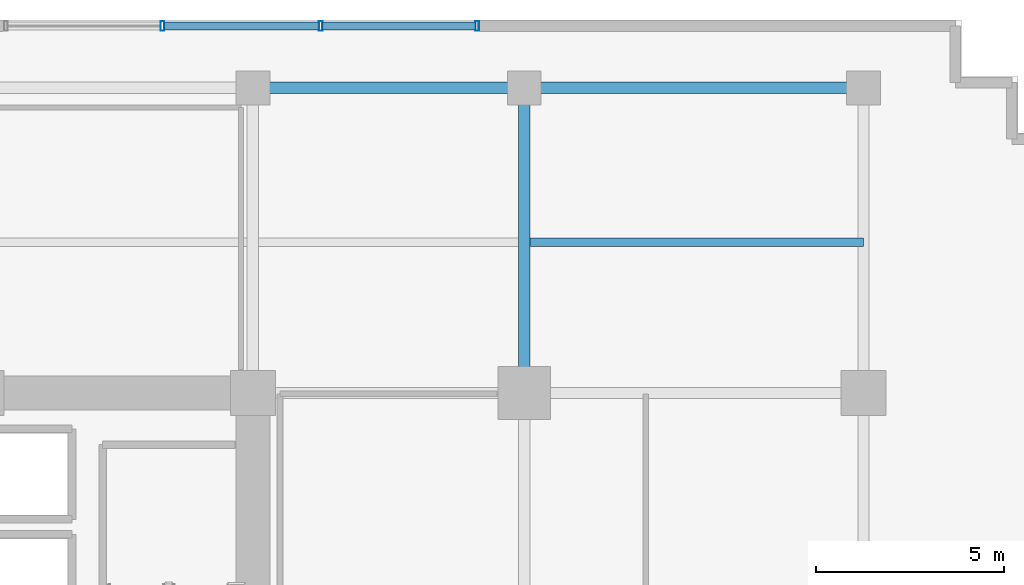
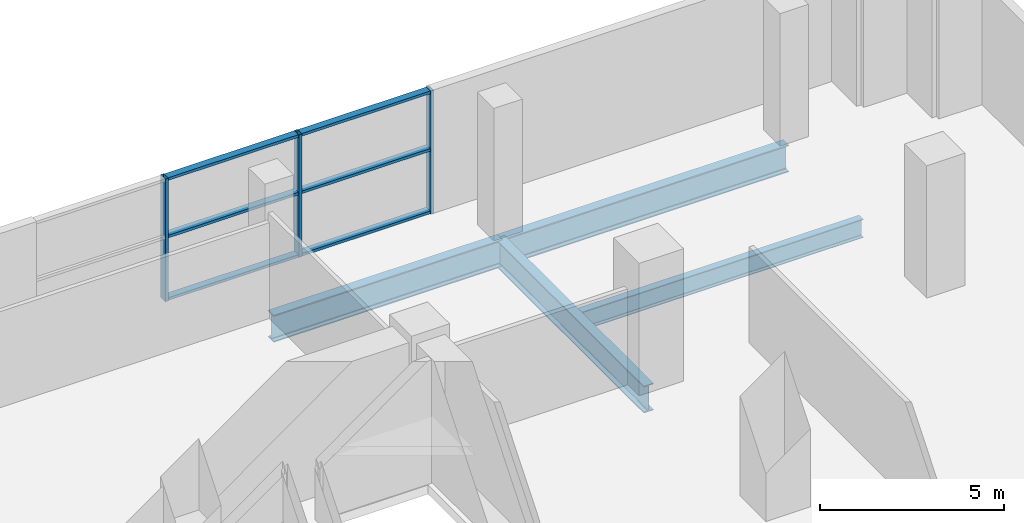
# One storey, part 12 of 21: 9 members, 4 beams, 1 element without a shape of its own.
"""IFC4 building model written with IfcOpenShell, lengths in metres."""

from ifc_helpers import new_model, si_unit, direction, frame, origin, origin_2d, place, context, subcontext, project, spatial, hollow_rectangle, i_section, extrude, source, transform, mapped, material, layer, layer_set, material_profile, profile_set, type_object, element, aggregate, save


model = new_model("IFC4")

# Units and contexts
model_context = context("Model", 3, precision=1e-05, world=origin(), true_north=direction((0.0, 1.0)))
body_context = subcontext(model_context, "Body", "Model", "MODEL_VIEW")
ifc_project = project(units=[si_unit("LENGTHUNIT", "METRE"), si_unit("AREAUNIT", "SQUARE_METRE"), si_unit("VOLUMEUNIT", "CUBIC_METRE"), si_unit("PLANEANGLEUNIT", "RADIAN"), si_unit("MASSUNIT", "GRAM", prefix="KILO")], contexts=[model_context])

# Site, building, storey
site_placement = place(None, origin())
site = spatial("IfcSite", under=ifc_project, at=site_placement, CompositionType="ELEMENT")
building_placement = place(site_placement, origin())
building = spatial("IfcBuilding", under=site, at=building_placement, Name="Zarnakvel Exchange Tower", CompositionType="ELEMENT")
storey_placement = place(building_placement, frame((0.0, 0.0, 18.199951171875)))
storey = spatial("IfcBuildingStorey", under=building, at=storey_placement, Name="L04", CompositionType="ELEMENT", Elevation=18.199951171875)

# Beams
ifc_material_1 = material(Name="Steel S355", Category="steel")
ifc_material_profile_1 = material_profile(ifc_material_1, i_section(OverallWidth=0.230224609375, OverallDepth=0.6171875, WebThickness=0.01318359375, FlangeThickness=0.022216796875, FilletRadius=0.0126953125, at=origin_2d()))
ifc_profile_set_1 = profile_set([ifc_material_profile_1], Name="Steel S355")
beam_type_1 = type_object("IfcBeamType", Name="B-02", PredefinedType="JOIST", material=ifc_profile_set_1)
beam_1_placement = place(storey_placement, frame((21.75, 17.5, -0.608642578125), z_axis=(1.0, 0.0, 0.0), x_axis=(0.0, 1.0, 0.0)))
element("IfcBeam", 1, at=beam_1_placement, inside=storey, type_object=beam_type_1, Name="L04 North Bay Secondary Floor Joist", PredefinedType="JOIST", context=body_context, shape_type="SweptSolid", body=[
    extrude(i_section(OverallWidth=0.230224609375, OverallDepth=0.6171875, WebThickness=0.01318359375, FlangeThickness=0.022216796875, FilletRadius=0.0126953125, at=origin_2d()), origin(), (0.0, 0.0, 1.0), 8.85009765625),
])
ifc_material_profile_2 = material_profile(ifc_material_1, i_section(OverallWidth=0.300048828125, OverallDepth=0.89990234375, WebThickness=0.0185546875, FlangeThickness=0.034912109375, FilletRadius=0.030029296875, at=origin_2d()))
ifc_profile_set_2 = profile_set([ifc_material_profile_2], Name="Steel S355")
beam_type_2 = type_object("IfcBeamType", Name="G-01", PredefinedType="BEAM", material=ifc_profile_set_2)
beam_2_placement = place(storey_placement, frame((14.39990234375, 21.60009765625, -0.75), z_axis=(1.0, 0.0, 0.0), x_axis=(0.0, 1.0, 0.0)))
element("IfcBeam", 2, at=beam_2_placement, inside=storey, type_object=beam_type_2, Name="L04 Primary E-W Girder Y=+21.6", PredefinedType="BEAM", context=body_context, shape_type="SweptSolid", body=[
    extrude(i_section(OverallWidth=0.300048828125, OverallDepth=0.89990234375, WebThickness=0.0185546875, FlangeThickness=0.034912109375, FilletRadius=0.030029296875, at=origin_2d()), origin(), (0.0, 0.0, 1.0), 7.2001953125),
])
beam_3_placement = place(storey_placement, frame((21.60009765625, 21.60009765625, -0.75), z_axis=(1.0, 0.0, 0.0), x_axis=(0.0, 1.0, 0.0)))
element("IfcBeam", 3, at=beam_3_placement, inside=storey, type_object=beam_type_2, Name="L04 Primary E-W Girder Y=+21.6", PredefinedType="BEAM", context=body_context, shape_type="SweptSolid", body=[
    extrude(i_section(OverallWidth=0.300048828125, OverallDepth=0.89990234375, WebThickness=0.0185546875, FlangeThickness=0.034912109375, FilletRadius=0.030029296875, at=origin_2d()), origin(), (0.0, 0.0, 1.0), 9.0),
])
beam_4_placement = place(storey_placement, frame((21.60009765625, 13.5, -0.75), z_axis=(0.0, 1.0, 0.0), x_axis=(-1.0, 0.0, 0.0)))
element("IfcBeam", 4, at=beam_4_placement, inside=storey, type_object=beam_type_2, Name="L04 Primary N-S Girder X=+21.6", PredefinedType="BEAM", context=body_context, shape_type="SweptSolid", body=[
    extrude(i_section(OverallWidth=0.300048828125, OverallDepth=0.89990234375, WebThickness=0.0185546875, FlangeThickness=0.034912109375, FilletRadius=0.030029296875, at=origin_2d()), origin(), (0.0, 0.0, 1.0), 8.10009765625),
])

# Curtain wall, members
ifc_material_2 = material(Name="Architectural Bronze Anodised Aluminium", Category="aluminium")
ifc_layer = layer(ifc_material_2, 0.260009765625)
ifc_layer_set = layer_set([ifc_layer], Name="Architectural Bronze Anodised Aluminium")
curtain_wall_type = type_object("IfcCurtainWallType", Name="CW-01", PredefinedType="NOTDEFINED", material=ifc_layer_set)
curtain_wall_placement = place(storey_placement, origin())
curtain_wall = element("IfcCurtainWall", 5, at=curtain_wall_placement, inside=storey, type_object=curtain_wall_type, Name="L04 Curtain Wall CW-L04-N2 (CW-01)", PredefinedType="NOTDEFINED")
ifc_material_profile_3 = material_profile(ifc_material_2, hollow_rectangle(XDim=0.219970703125, YDim=0.090087890625, WallThickness=0.0048828125, at=origin_2d()))
ifc_profile_set_3 = profile_set([ifc_material_profile_3], Name="Architectural Bronze Anodised Aluminium")
member_type_1 = type_object("IfcMemberType", Name="CWT-01", PredefinedType="USERDEFINED", material=ifc_profile_set_3)
shared_shape_1 = source(origin(), body_context, "Body", "SweptSolid", [
    extrude(hollow_rectangle(XDim=0.219970703125, YDim=0.090087890625, WallThickness=0.0048828125, at=origin_2d()), origin(), (0.0, 0.0, 1.0), 4.050048828125),
])
member_1_placement = place(storey_placement, frame((16.25, 23.239990234375, 0.045166015625), z_axis=(1.0, 0.0, 0.0), x_axis=(0.0, 1.0, 0.0)))
member_1 = element("IfcMember", 6, at=member_1_placement, type_object=member_type_1, Name="CW-01 transom 3.1", ObjectType="TRANSOM", PredefinedType="USERDEFINED", context=body_context, shape_type="MappedRepresentation", body=[
    mapped(shared_shape_1, transform((0.0, 0.0, 0.0), x_axis=(1.0, 0.0, 0.0), y_axis=(0.0, 1.0, 0.0), z_axis=(0.0, 0.0, 1.0), scale=1.0)),
])
member_2_placement = place(storey_placement, frame((16.25, 23.239990234375, 2.12158203125), z_axis=(1.0, 0.0, 0.0), x_axis=(0.0, 1.0, 0.0)))
member_2 = element("IfcMember", 7, at=member_2_placement, type_object=member_type_1, Name="CW-01 transom 3.2", ObjectType="TRANSOM", PredefinedType="USERDEFINED", context=body_context, shape_type="MappedRepresentation", body=[
    mapped(shared_shape_1, transform((0.0, 0.0, 0.0), x_axis=(1.0, 0.0, 0.0), y_axis=(0.0, 1.0, 0.0), z_axis=(0.0, 0.0, 1.0), scale=1.0)),
])
member_3_placement = place(storey_placement, frame((16.25, 23.239990234375, 4.03515625), z_axis=(1.0, 0.0, 0.0), x_axis=(0.0, 1.0, 0.0)))
member_3 = element("IfcMember", 8, at=member_3_placement, type_object=member_type_1, Name="CW-01 transom 3.3", ObjectType="TRANSOM", PredefinedType="USERDEFINED", context=body_context, shape_type="MappedRepresentation", body=[
    mapped(shared_shape_1, transform((0.0, 0.0, 0.0), x_axis=(1.0, 0.0, 0.0), y_axis=(0.0, 1.0, 0.0), z_axis=(0.0, 0.0, 1.0), scale=1.0)),
])
shared_shape_2 = source(origin(), body_context, "Body", "SweptSolid", [
    extrude(hollow_rectangle(XDim=0.219970703125, YDim=0.090087890625, WallThickness=0.0048828125, at=origin_2d()), origin(), (0.0, 0.0, 1.0), 4.099853515625),
])
member_4_placement = place(storey_placement, frame((12.050048828125, 23.239990234375, 0.045166015625), z_axis=(1.0, 0.0, 0.0), x_axis=(0.0, 1.0, 0.0)))
member_4 = element("IfcMember", 9, at=member_4_placement, type_object=member_type_1, Name="CW-01 transom 2.1", ObjectType="TRANSOM", PredefinedType="USERDEFINED", context=body_context, shape_type="MappedRepresentation", body=[
    mapped(shared_shape_2, transform((0.0, 0.0, 0.0), x_axis=(1.0, 0.0, 0.0), y_axis=(0.0, 1.0, 0.0), z_axis=(0.0, 0.0, 1.0), scale=1.0)),
])
member_5_placement = place(storey_placement, frame((12.050048828125, 23.239990234375, 2.12158203125), z_axis=(1.0, 0.0, 0.0), x_axis=(0.0, 1.0, 0.0)))
member_5 = element("IfcMember", 10, at=member_5_placement, type_object=member_type_1, Name="CW-01 transom 2.2", ObjectType="TRANSOM", PredefinedType="USERDEFINED", context=body_context, shape_type="MappedRepresentation", body=[
    mapped(shared_shape_2, transform((0.0, 0.0, 0.0), x_axis=(1.0, 0.0, 0.0), y_axis=(0.0, 1.0, 0.0), z_axis=(0.0, 0.0, 1.0), scale=1.0)),
])
member_6_placement = place(storey_placement, frame((12.050048828125, 23.239990234375, 4.03515625), z_axis=(1.0, 0.0, 0.0), x_axis=(0.0, 1.0, 0.0)))
member_6 = element("IfcMember", 11, at=member_6_placement, type_object=member_type_1, Name="CW-01 transom 2.3", ObjectType="TRANSOM", PredefinedType="USERDEFINED", context=body_context, shape_type="MappedRepresentation", body=[
    mapped(shared_shape_2, transform((0.0, 0.0, 0.0), x_axis=(1.0, 0.0, 0.0), y_axis=(0.0, 1.0, 0.0), z_axis=(0.0, 0.0, 1.0), scale=1.0)),
])
ifc_material_profile_4 = material_profile(ifc_material_2, hollow_rectangle(XDim=0.260009765625, YDim=0.10009765625, WallThickness=0.006103515625, at=origin_2d()))
ifc_profile_set_4 = profile_set([ifc_material_profile_4], Name="Architectural Bronze Anodised Aluminium")
member_type_2 = type_object("IfcMemberType", Name="CWM-01", PredefinedType="MULLION", material=ifc_profile_set_4)
shared_shape_3 = source(origin(), body_context, "Body", "SweptSolid", [
    extrude(hollow_rectangle(XDim=0.260009765625, YDim=0.10009765625, WallThickness=0.006103515625, at=origin_2d()), origin(), (0.0, 0.0, 1.0), 4.080078125),
])
member_7_placement = place(storey_placement, frame((12.0, 23.239990234375, 0.0), z_axis=(0.0, 0.0, 1.0), x_axis=(0.0, 1.0, 0.0)))
member_7 = element("IfcMember", 12, at=member_7_placement, type_object=member_type_2, Name="CW-01 mullion 2", PredefinedType="MULLION", context=body_context, shape_type="MappedRepresentation", body=[
    mapped(shared_shape_3, transform((0.0, 0.0, 0.0), x_axis=(1.0, 0.0, 0.0), y_axis=(0.0, 1.0, 0.0), z_axis=(0.0, 0.0, 1.0), scale=1.0)),
])
member_8_placement = place(storey_placement, frame((16.199951171875, 23.239990234375, 0.0), z_axis=(0.0, 0.0, 1.0), x_axis=(0.0, 1.0, 0.0)))
member_8 = element("IfcMember", 13, at=member_8_placement, type_object=member_type_2, Name="CW-01 mullion 3", PredefinedType="MULLION", context=body_context, shape_type="MappedRepresentation", body=[
    mapped(shared_shape_3, transform((0.0, 0.0, 0.0), x_axis=(1.0, 0.0, 0.0), y_axis=(0.0, 1.0, 0.0), z_axis=(0.0, 0.0, 1.0), scale=1.0)),
])
member_9_placement = place(storey_placement, frame((20.35009765625, 23.239990234375, 0.0), z_axis=(0.0, 0.0, 1.0), x_axis=(0.0, 1.0, 0.0)))
member_9 = element("IfcMember", 14, at=member_9_placement, type_object=member_type_2, Name="CW-01 mullion 4", PredefinedType="MULLION", context=body_context, shape_type="MappedRepresentation", body=[
    mapped(shared_shape_3, transform((0.0, 0.0, 0.0), x_axis=(1.0, 0.0, 0.0), y_axis=(0.0, 1.0, 0.0), z_axis=(0.0, 0.0, 1.0), scale=1.0)),
])
aggregate(curtain_wall, [member_7, member_8, member_9, member_4, member_5, member_6, member_1, member_2, member_3])

save(model, "model.ifc")
